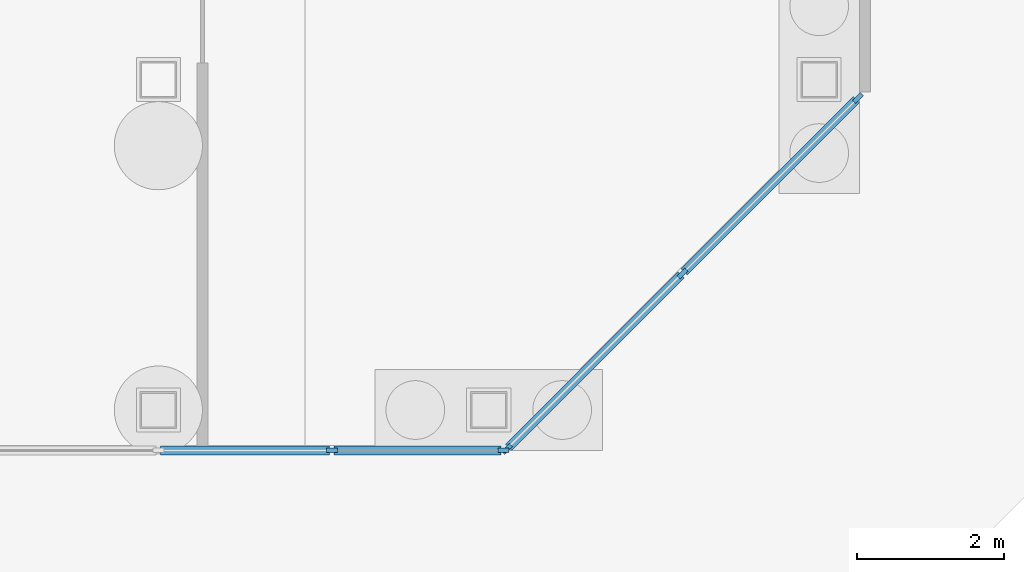
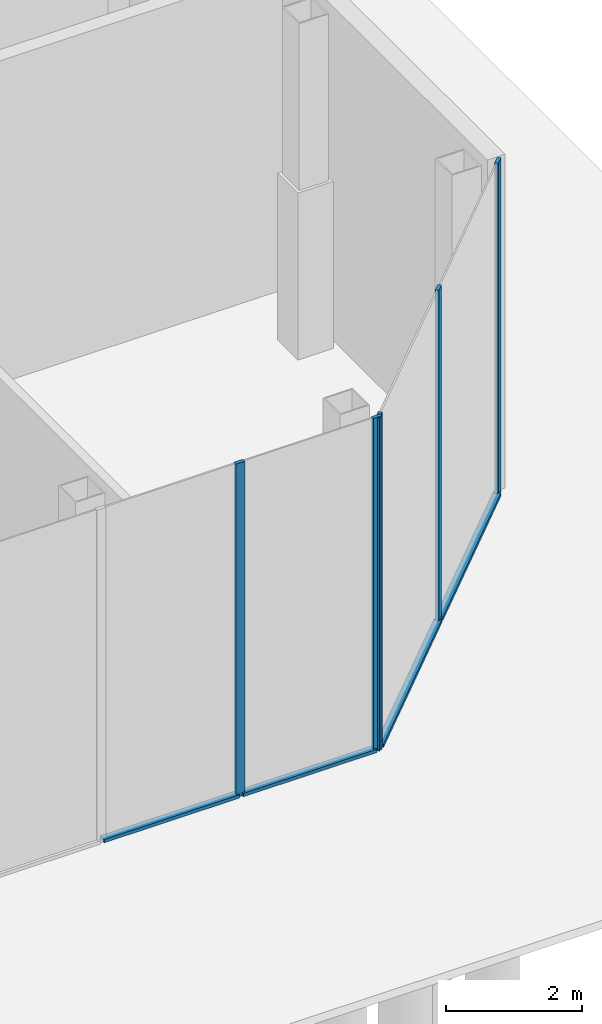
# One storey, part 14 of 24: 9 members, 2 elements without a shape of their own.
"""IFC4 building model written with IfcOpenShell, lengths in metres."""

from ifc_helpers import new_model, si_unit, direction, frame, origin, origin_2d, place, context, subcontext, project, spatial, rectangle, extrude, material, material_profile, profile_set, type_object, element, aggregate, save


model = new_model("IFC4")

# Units and contexts
model_context = context("Model", 3, precision=1e-05, world=origin(), true_north=direction((0.0, 1.0)))
body_context = subcontext(model_context, "Body", "Model", "MODEL_VIEW")
ifc_project = project(units=[si_unit("LENGTHUNIT", "METRE"), si_unit("AREAUNIT", "SQUARE_METRE"), si_unit("VOLUMEUNIT", "CUBIC_METRE"), si_unit("PLANEANGLEUNIT", "RADIAN"), si_unit("MASSUNIT", "GRAM", prefix="KILO")], contexts=[model_context])

# Site, building, storey
site_placement = place(None, origin())
site = spatial("IfcSite", under=ifc_project, at=site_placement, CompositionType="ELEMENT")
building_placement = place(site_placement, origin())
building = spatial("IfcBuilding", under=site, at=building_placement, Name="Corais Broadcast Tower", CompositionType="ELEMENT")
storey_placement = place(building_placement, origin())
storey = spatial("IfcBuildingStorey", under=building, at=storey_placement, Name="L00", CompositionType="ELEMENT", Elevation=0.0)

# Curtain wall, members
ifc_material_1 = material(Name="Aluminium and glass", Category="aluminium")
curtain_wall_type = type_object("IfcCurtainWallType", Name="Storefront curtain wall CW5", PredefinedType="NOTDEFINED", material=ifc_material_1)
curtain_wall_1_placement = place(storey_placement, origin())
curtain_wall_1 = element("IfcCurtainWall", 1, at=curtain_wall_1_placement, inside=storey, type_object=curtain_wall_type, Name="CW5 curtain wall L00 7", PredefinedType="NOTDEFINED")
ifc_material_2 = material(Name="Aluminium 6063-T6", Category="aluminium")
ifc_material_profile_1 = material_profile(ifc_material_2, rectangle(XDim=0.06005859375, YDim=0.14990234375, at=origin_2d()), Name="Mullion CW5 60x150")
ifc_profile_set_1 = profile_set([ifc_material_profile_1], Name="Aluminium 6063-T6")
member_type_1 = type_object("IfcMemberType", Name="Mullion CW5 60x150", PredefinedType="MULLION", material=ifc_profile_set_1)
member_1_placement = place(storey_placement, frame((63.52880859375, 4.2509765625, 0.0), z_axis=(0.0, 0.0, 1.0), x_axis=(0.707106781187, -0.707106781187, 0.0)))
member_1 = element("IfcMember", 2, at=member_1_placement, type_object=member_type_1, Name="CW5 mullion 1", PredefinedType="MULLION", context=body_context, shape_type="SweptSolid", body=[
    extrude(rectangle(XDim=0.06005859375, YDim=0.14990234375, at=origin_2d()), origin(), (0.0, 0.0, 1.0), 6.0),
])
member_2_placement = place(storey_placement, frame((61.138916015625, 1.861083984375, 0.0), z_axis=(0.0, 0.0, 1.0), x_axis=(0.707106781187, -0.707106781187, 0.0)))
member_2 = element("IfcMember", 3, at=member_2_placement, type_object=member_type_1, Name="CW5 mullion 2", PredefinedType="MULLION", context=body_context, shape_type="SweptSolid", body=[
    extrude(rectangle(XDim=0.06005859375, YDim=0.14990234375, at=origin_2d()), origin(), (0.0, 0.0, 1.0), 6.0),
])
member_3_placement = place(storey_placement, frame((58.7490234375, -0.52880859375, 0.0), z_axis=(0.0, 0.0, 1.0), x_axis=(0.707106781187, -0.707106781187, 0.0)))
member_3 = element("IfcMember", 4, at=member_3_placement, type_object=member_type_1, Name="CW5 mullion 3", PredefinedType="MULLION", context=body_context, shape_type="SweptSolid", body=[
    extrude(rectangle(XDim=0.06005859375, YDim=0.14990234375, at=origin_2d()), origin(), (0.0, 0.0, 1.0), 6.0),
])

curtain_wall_2_placement = place(storey_placement, origin())
curtain_wall_2 = element("IfcCurtainWall", 5, at=curtain_wall_2_placement, inside=storey, type_object=curtain_wall_type, Name="CW5 curtain wall L00 8", PredefinedType="NOTDEFINED")
member_4_placement = place(storey_placement, frame((58.69775390625, -0.550048828125, 0.0), z_axis=(0.0, 0.0, 1.0), x_axis=(0.0, -1.0, 0.0)))
member_4 = element("IfcMember", 6, at=member_4_placement, type_object=member_type_1, Name="CW5 mullion 1", PredefinedType="MULLION", context=body_context, shape_type="SweptSolid", body=[
    extrude(rectangle(XDim=0.06005859375, YDim=0.14990234375, at=origin_2d()), origin(), (0.0, 0.0, 1.0), 6.0),
])
member_5_placement = place(storey_placement, frame((56.364013671875, -0.550048828125, 0.0), z_axis=(0.0, 0.0, 1.0), x_axis=(0.0, -1.0, 0.0)))
member_5 = element("IfcMember", 7, at=member_5_placement, type_object=member_type_1, Name="CW5 mullion 2", PredefinedType="MULLION", context=body_context, shape_type="SweptSolid", body=[
    extrude(rectangle(XDim=0.06005859375, YDim=0.14990234375, at=origin_2d()), origin(), (0.0, 0.0, 1.0), 6.0),
])

# Member
ifc_material_3 = material(Name="Aluminium 6063-T6", Category="aluminium")
ifc_material_profile_2 = material_profile(ifc_material_3, rectangle(XDim=0.1201171875, YDim=0.06005859375, at=origin_2d()), Name="Transom CW5 60x120")
ifc_profile_set_2 = profile_set([ifc_material_profile_2], Name="Aluminium 6063-T6")
member_type_2 = type_object("IfcMemberType", Name="Transom CW5 60x120", PredefinedType="USERDEFINED", material=ifc_profile_set_2)
member_6_placement = place(storey_placement, frame((63.507568359375, 4.229736328125, 0.030029296875), z_axis=(-0.707106781187, -0.707106781187, 0.0), x_axis=(0.707106781187, -0.707106781187, 0.0)))
member_6 = element("IfcMember", 8, at=member_6_placement, type_object=member_type_2, Name="CW5 transom 1.1", ObjectType="TRANSOM", PredefinedType="USERDEFINED", context=body_context, shape_type="SweptSolid", body=[
    extrude(rectangle(XDim=0.1201171875, YDim=0.06005859375, at=origin_2d()), origin(), (0.0, 0.0, 1.0), 3.31982421875),
])

member_7_placement = place(storey_placement, frame((61.11767578125, 1.83984375, 0.030029296875), z_axis=(-0.707106781187, -0.707106781187, 0.0), x_axis=(0.707106781187, -0.707106781187, 0.0)))
member_7 = element("IfcMember", 9, at=member_7_placement, type_object=member_type_2, Name="CW5 transom 2.1", ObjectType="TRANSOM", PredefinedType="USERDEFINED", context=body_context, shape_type="SweptSolid", body=[
    extrude(rectangle(XDim=0.1201171875, YDim=0.06005859375, at=origin_2d()), origin(), (0.0, 0.0, 1.0), 3.31982421875),
])

aggregate(curtain_wall_1, [member_1, member_2, member_3, member_6, member_7])

member_8_placement = place(storey_placement, frame((58.667724609375, -0.550048828125, 0.030029296875), z_axis=(-1.0, 0.0, 0.0), x_axis=(0.0, -1.0, 0.0)))
member_8 = element("IfcMember", 10, at=member_8_placement, type_object=member_type_2, Name="CW5 transom 1.1", ObjectType="TRANSOM", PredefinedType="USERDEFINED", context=body_context, shape_type="SweptSolid", body=[
    extrude(rectangle(XDim=0.1201171875, YDim=0.06005859375, at=origin_2d()), origin(), (0.0, 0.0, 1.0), 2.27392578125),
])

member_9_placement = place(storey_placement, frame((56.333984375, -0.550048828125, 0.030029296875), z_axis=(-1.0, 0.0, 0.0), x_axis=(0.0, -1.0, 0.0)))
member_9 = element("IfcMember", 11, at=member_9_placement, type_object=member_type_2, Name="CW5 transom 2.1", ObjectType="TRANSOM", PredefinedType="USERDEFINED", context=body_context, shape_type="SweptSolid", body=[
    extrude(rectangle(XDim=0.1201171875, YDim=0.06005859375, at=origin_2d()), origin(), (0.0, 0.0, 1.0), 2.303955078125),
])

aggregate(curtain_wall_2, [member_4, member_5, member_8, member_9])

save(model, "model.ifc")
